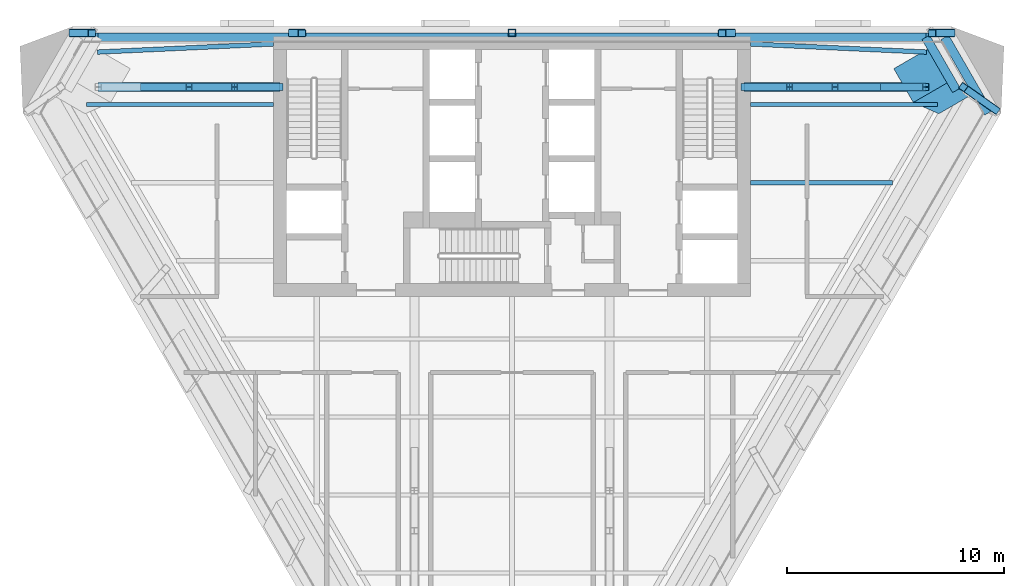
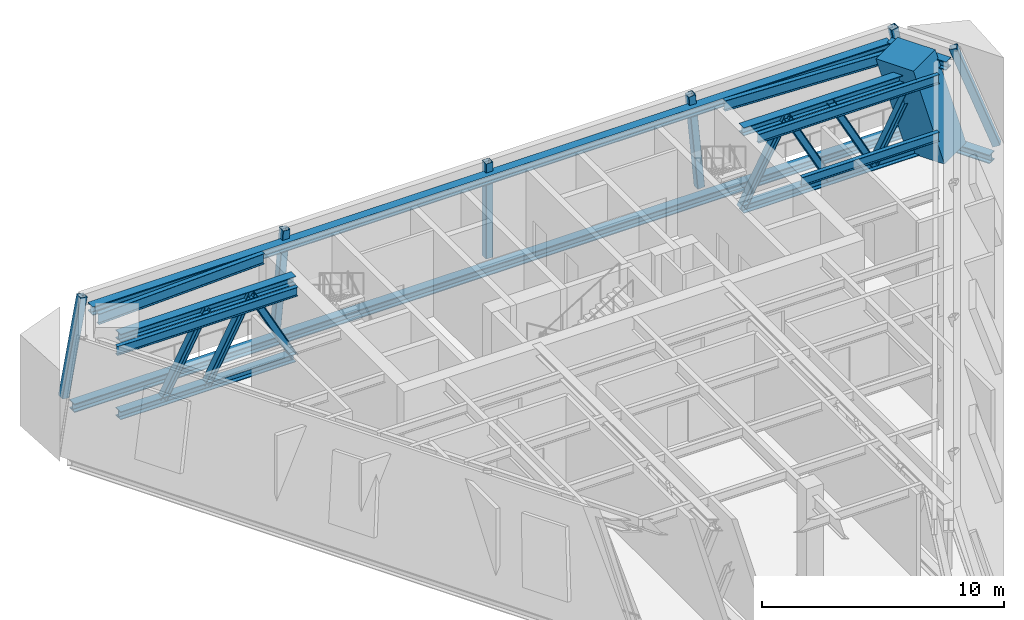
# One storey, part 2 of 11: 14 members, 13 beams.
"""IFC4 building model written with IfcOpenShell, lengths in metres."""

from ifc_helpers import new_model, si_unit, direction, frame, origin, origin_2d, place, context, subcontext, project, spatial, rectangle, hollow_rectangle, i_section, extrude, material, material_profile, profile_set, type_object, element, save


model = new_model("IFC4")

# Units and contexts
model_context = context("Model", 3, precision=1e-05, world=origin(), true_north=direction((0.0, 1.0)))
body_context = subcontext(model_context, "Body", "Model", "MODEL_VIEW")
ifc_project = project(units=[si_unit("LENGTHUNIT", "METRE"), si_unit("AREAUNIT", "SQUARE_METRE"), si_unit("VOLUMEUNIT", "CUBIC_METRE"), si_unit("PLANEANGLEUNIT", "RADIAN"), si_unit("MASSUNIT", "GRAM", prefix="KILO")], contexts=[model_context])

# Site, building, storey
site_placement = place(None, origin())
site = spatial("IfcSite", under=ifc_project, at=site_placement, CompositionType="ELEMENT")
building_placement = place(site_placement, origin())
building = spatial("IfcBuilding", under=site, at=building_placement, Name="Aloe Facet Convention Tower", CompositionType="ELEMENT")
storey_placement = place(building_placement, frame((0.0, 0.0, 175.39990234375)))
storey = spatial("IfcBuildingStorey", under=building, at=storey_placement, Name="L44", CompositionType="ELEMENT", Elevation=175.39990234375)

# Beams
ifc_material_1 = material(Name="Steel S355", Category="steel")
ifc_material_profile_1 = material_profile(ifc_material_1, i_section(OverallWidth=0.19140625, OverallDepth=0.4599609375, WebThickness=0.010009765625, FlangeThickness=0.01611328125, FilletRadius=0.01025390625, at=origin_2d()), Name="UB 457x191x82")
ifc_profile_set_1 = profile_set([ifc_material_profile_1], Name="Steel S355")
beam_type_1 = type_object("IfcBeamType", Name="SF-B-UB457x191x82", PredefinedType="BEAM", material=ifc_profile_set_1)
beam_1_placement = place(storey_placement, frame((60.373779296875, 131.39990234375, 4.1201171875), z_axis=(1.0, 0.0, 0.0), x_axis=(0.0, 1.0, 0.0)))
element("IfcBeam", 1, at=beam_1_placement, inside=storey, type_object=beam_type_1, Name="Floor beam FB-Z4A-009", PredefinedType="BEAM", context=body_context, shape_type="SweptSolid", body=[
    extrude(i_section(OverallWidth=0.19140625, OverallDepth=0.4599609375, WebThickness=0.010009765625, FlangeThickness=0.01611328125, FilletRadius=0.01025390625, at=origin_2d()), origin(), (0.0, 0.0, 1.0), 8.626220703125),
])
beam_2_placement = place(storey_placement, frame((91.0, 127.800048828125, 4.1201171875), z_axis=(1.0, 0.0, 0.0), x_axis=(0.0, 1.0, 0.0)))
element("IfcBeam", 2, at=beam_2_placement, inside=storey, type_object=beam_type_1, Name="Floor beam FB-Z4A-029", PredefinedType="BEAM", context=body_context, shape_type="SweptSolid", body=[
    extrude(i_section(OverallWidth=0.19140625, OverallDepth=0.4599609375, WebThickness=0.010009765625, FlangeThickness=0.01611328125, FilletRadius=0.01025390625, at=origin_2d()), origin(), (0.0, 0.0, 1.0), 6.547607421875),
])
beam_3_placement = place(storey_placement, frame((91.0, 131.39990234375, 4.1201171875), z_axis=(1.0, 0.0, 0.0), x_axis=(0.0, 1.0, 0.0)))
element("IfcBeam", 3, at=beam_3_placement, inside=storey, type_object=beam_type_1, Name="Floor beam FB-Z4A-030", PredefinedType="BEAM", context=body_context, shape_type="SweptSolid", body=[
    extrude(i_section(OverallWidth=0.19140625, OverallDepth=0.4599609375, WebThickness=0.010009765625, FlangeThickness=0.01611328125, FilletRadius=0.01025390625, at=origin_2d()), origin(), (0.0, 0.0, 1.0), 8.626220703125),
])
ifc_material_2 = material(Name="Steel S355", Category="steel")
ifc_material_profile_2 = material_profile(ifc_material_2, i_section(OverallWidth=0.209228515625, OverallDepth=0.533203125, WebThickness=0.010009765625, FlangeThickness=0.015625, FilletRadius=0.0126953125, at=origin_2d()), Name="UB 533x210x92")
ifc_profile_set_2 = profile_set([ifc_material_profile_2], Name="Steel S355")
beam_type_2 = type_object("IfcBeamType", Name="SF-B-UB533x210x92", PredefinedType="BEAM", material=ifc_profile_set_2)
for number, where, z_axis, x_axis, name in (
    (4, (60.883544921875, 133.820556640625, 4.08349609375), (0.998935758067, 0.046123218187, 0.0), (-0.046123218187, 0.998935758067, 0.0), "Floor beam FB-Z4A-001"),
    (5, (99.116455078125, 133.820556640625, 4.08349609375), (-0.998935758067, 0.046123218187, 0.0), (-0.046123218187, -0.998935758067, 0.0), "Floor beam FB-Z4A-003"),
):
    element("IfcBeam", number, at=place(storey_placement, frame(where, z_axis=z_axis, x_axis=x_axis)), inside=storey, type_object=beam_type_2, Name=name, PredefinedType="BEAM", context=body_context, shape_type="SweptSolid", body=[
        extrude(i_section(OverallWidth=0.209228515625, OverallDepth=0.533203125, WebThickness=0.010009765625, FlangeThickness=0.015625, FilletRadius=0.0126953125, at=origin_2d()), origin(), (0.0, 0.0, 1.0), 8.125),
    ])
ifc_material_3 = material(Name="Steel S355", Category="steel")
ifc_material_profile_3 = material_profile(ifc_material_3, i_section(OverallWidth=0.412109375, OverallDepth=0.4365234375, WebThickness=0.035888671875, FlangeThickness=0.048095703125, FilletRadius=0.01513671875, at=origin_2d()), Name="UC 356x406x467")
ifc_profile_set_3 = profile_set([ifc_material_profile_3], Name="Steel S355")
beam_type_3 = type_object("IfcBeamType", Name="STW-BC-L44", PredefinedType="BEAM", material=ifc_profile_set_3)
beam_4_placement = place(storey_placement, frame((99.954345703125, 134.5, -0.46826171875), z_axis=(0.500035914075, -0.866004667791, 0.0), x_axis=(0.866004667791, 0.500035914075, 0.0)))
element("IfcBeam", 6, at=beam_4_placement, inside=storey, type_object=beam_type_3, Name="Belt chord BC-L44-L-01", PredefinedType="BEAM", context=body_context, shape_type="SweptSolid", body=[
    extrude(i_section(OverallWidth=0.412109375, OverallDepth=0.4365234375, WebThickness=0.035888671875, FlangeThickness=0.048095703125, FilletRadius=0.01513671875, at=origin_2d()), origin(), (0.0, 0.0, 1.0), 4.022705078125),
])
beam_5_placement = place(storey_placement, frame((60.045654296875, 134.5, -0.46826171875), z_axis=(1.0, 0.0, 0.0), x_axis=(0.0, 1.0, 0.0)))
element("IfcBeam", 7, at=beam_5_placement, inside=storey, type_object=beam_type_3, Name="Belt chord BC-L44-L-06", PredefinedType="BEAM", context=body_context, shape_type="SweptSolid", body=[
    extrude(i_section(OverallWidth=0.412109375, OverallDepth=0.4365234375, WebThickness=0.035888671875, FlangeThickness=0.048095703125, FilletRadius=0.01513671875, at=origin_2d()), origin(), (0.0, 0.0, 1.0), 39.90869140625),
])
beam_6_placement = place(storey_placement, frame((99.075927734375, 134.5, 4.1318359375), z_axis=(0.499999465141, -0.866025712585, 0.0), x_axis=(0.866025712585, 0.499999465141, 0.0)))
element("IfcBeam", 8, at=beam_6_placement, inside=storey, type_object=beam_type_3, Name="Belt chord BC-L44-U-01", PredefinedType="BEAM", context=body_context, shape_type="SweptSolid", body=[
    extrude(i_section(OverallWidth=0.412109375, OverallDepth=0.4365234375, WebThickness=0.035888671875, FlangeThickness=0.048095703125, FilletRadius=0.01513671875, at=origin_2d()), origin(), (0.0, 0.0, 1.0), 2.82275390625),
])
beam_7_placement = place(storey_placement, frame((60.924072265625, 134.5, 4.1318359375), z_axis=(1.0, 0.0, 0.0), x_axis=(0.0, 1.0, 0.0)))
element("IfcBeam", 9, at=beam_7_placement, inside=storey, type_object=beam_type_3, Name="Belt chord BC-L44-U-06", PredefinedType="BEAM", context=body_context, shape_type="SweptSolid", body=[
    extrude(i_section(OverallWidth=0.412109375, OverallDepth=0.4365234375, WebThickness=0.035888671875, FlangeThickness=0.048095703125, FilletRadius=0.01513671875, at=origin_2d()), origin(), (0.0, 0.0, 1.0), 38.15185546875),
])

# Members
ifc_material_4 = material(Name="Steel S355", Category="steel")
ifc_material_profile_4 = material_profile(ifc_material_4, hollow_rectangle(XDim=0.35009765625, YDim=0.35009765625, WallThickness=0.01611328125, InnerFilletRadius=0.01611328125, OuterFilletRadius=0.031982421875, at=origin_2d()), Name="SHS 350x350x16")
ifc_profile_set_4 = profile_set([ifc_material_profile_4], Name="Steel S355")
member_type_1 = type_object("IfcMemberType", Name="STW-BW-L44", PredefinedType="BRACE", material=ifc_profile_set_4)
member_1_placement = place(storey_placement, frame((100.2431640625, 134.699951171875, 0.0), z_axis=(-0.180060834095, 0.0, 0.983655476285), x_axis=(0.0, -1.0, 0.0)))
element("IfcMember", 10, at=member_1_placement, inside=storey, type_object=member_type_1, Name="Belt web BW-L44-F1-01", PredefinedType="BRACE", context=body_context, shape_type="SweptSolid", body=[
    extrude(hollow_rectangle(XDim=0.35009765625, YDim=0.35009765625, WallThickness=0.01611328125, InnerFilletRadius=0.01611328125, OuterFilletRadius=0.031982421875, at=origin_2d()), origin(), (0.0, 0.0, 1.0), 4.8798828125),
])
member_2_placement = place(storey_placement, frame((90.12158203125, 134.699951171875, 0.0), z_axis=(-0.091120287279, 0.0, 0.99583989338), x_axis=(0.0, -1.0, 0.0)))
element("IfcMember", 11, at=member_2_placement, inside=storey, type_object=member_type_1, Name="Belt web BW-L44-F1-02", PredefinedType="BRACE", context=body_context, shape_type="SweptSolid", body=[
    extrude(hollow_rectangle(XDim=0.35009765625, YDim=0.35009765625, WallThickness=0.01611328125, InnerFilletRadius=0.01611328125, OuterFilletRadius=0.031982421875, at=origin_2d()), origin(), (0.0, 0.0, 1.0), 4.820068359375),
])
member_3_placement = place(storey_placement, frame((80.0, 134.699951171875, 0.0), z_axis=(0.0, 0.0, 1.0), x_axis=(1.0, 0.0, 0.0)))
element("IfcMember", 12, at=member_3_placement, inside=storey, type_object=member_type_1, Name="Belt web BW-L44-F1-03", PredefinedType="BRACE", context=body_context, shape_type="SweptSolid", body=[
    extrude(hollow_rectangle(XDim=0.35009765625, YDim=0.35009765625, WallThickness=0.01611328125, InnerFilletRadius=0.01611328125, OuterFilletRadius=0.031982421875, at=origin_2d()), origin(), (0.0, 0.0, 1.0), 4.800048828125),
])
member_4_placement = place(storey_placement, frame((69.87841796875, 134.699951171875, 0.0), z_axis=(0.091120287279, 0.0, 0.99583989338), x_axis=(0.0, 1.0, 0.0)))
element("IfcMember", 13, at=member_4_placement, inside=storey, type_object=member_type_1, Name="Belt web BW-L44-F1-04", PredefinedType="BRACE", context=body_context, shape_type="SweptSolid", body=[
    extrude(hollow_rectangle(XDim=0.35009765625, YDim=0.35009765625, WallThickness=0.01611328125, InnerFilletRadius=0.01611328125, OuterFilletRadius=0.031982421875, at=origin_2d()), origin(), (0.0, 0.0, 1.0), 4.820068359375),
])
member_5_placement = place(storey_placement, frame((59.7568359375, 134.699951171875, 0.0), z_axis=(0.180060834095, 0.0, 0.983655476285), x_axis=(0.0, 1.0, 0.0)))
element("IfcMember", 14, at=member_5_placement, inside=storey, type_object=member_type_1, Name="Belt web BW-L44-F1-05", PredefinedType="BRACE", context=body_context, shape_type="SweptSolid", body=[
    extrude(hollow_rectangle(XDim=0.35009765625, YDim=0.35009765625, WallThickness=0.01611328125, InnerFilletRadius=0.01611328125, OuterFilletRadius=0.031982421875, at=origin_2d()), origin(), (0.0, 0.0, 1.0), 4.8798828125),
])
member_6_placement = place(storey_placement, frame((102.283203125, 131.166259765625, 0.0), z_axis=(-0.288265895806, 0.202633407933, 0.935864560342), x_axis=(-0.575075049884, -0.818100658233, 0.0)))
element("IfcMember", 15, at=member_6_placement, inside=storey, type_object=member_type_1, Name="Belt web BW-L44-F3-05", PredefinedType="BRACE", context=body_context, shape_type="SweptSolid", body=[
    extrude(hollow_rectangle(XDim=0.35009765625, YDim=0.35009765625, WallThickness=0.01611328125, InnerFilletRadius=0.01611328125, OuterFilletRadius=0.031982421875, at=origin_2d()), origin(), (0.0, 0.0, 1.0), 5.12890625),
])
ifc_material_5 = material(Name="Concrete C80/95", Category="concrete")
ifc_material_profile_5 = material_profile(ifc_material_5, rectangle(XDim=1.800048828125, YDim=1.800048828125, at=origin_2d()), Name="STW-MJ-Z3")
ifc_profile_set_5 = profile_set([ifc_material_profile_5], Name="Concrete C80/95")
member_type_2 = type_object("IfcMemberType", Name="STW-MJ-Z3", PredefinedType="STRUT", material=ifc_profile_set_5)
member_7_placement = place(storey_placement, frame((100.00732421875, 132.208251953125, 0.0), z_axis=(0.0, 0.0, 1.0), x_axis=(-0.5, 0.866025403784, 0.0)))
element("IfcMember", 16, at=member_7_placement, inside=storey, type_object=member_type_2, Name="Transfer jog MC-NE-L44", PredefinedType="STRUT", context=body_context, shape_type="SweptSolid", body=[
    extrude(rectangle(XDim=1.800048828125, YDim=1.800048828125, at=origin_2d()), origin(), (0.209093993295, 0.153087177644, 0.965838505139), 4.9697265625),
])

# Beams
ifc_material_6 = material(Name="Steel S355", Category="steel")
ifc_material_profile_6 = material_profile(ifc_material_6, i_section(OverallWidth=0.403076171875, OverallDepth=0.406494140625, WebThickness=0.0205078125, FlangeThickness=0.032958984375, FilletRadius=0.01513671875, at=origin_2d()), Name="UC 356x406x340")
ifc_profile_set_6 = profile_set([ifc_material_profile_6], Name="Steel S355")
beam_type_4 = type_object("IfcBeamType", Name="STW-OC-L44", PredefinedType="BEAM", material=ifc_profile_set_6)
for number, where, z_axis, x_axis, name in (
    (17, (90.699951171875, 132.208251953125, 0.2333984375), (1.0, 0.0, 0.0), (0.0, 1.0, 0.0), "Outrigger chord OR-L44-NE-B"),
    (18, (90.699951171875, 132.208251953125, 4.14697265625), (1.0, 0.0, 0.0), (0.0, 1.0, 0.0), "Outrigger chord OR-L44-NE-T"),
    (19, (69.300048828125, 132.208251953125, 0.2333984375), (-1.0, 0.0, 0.0), (0.0, -1.0, 0.0), "Outrigger chord OR-L44-NW-B"),
    (20, (69.300048828125, 132.208251953125, 4.14697265625), (-1.0, 0.0, 0.0), (0.0, -1.0, 0.0), "Outrigger chord OR-L44-NW-T"),
):
    element("IfcBeam", number, at=place(storey_placement, frame(where, z_axis=z_axis, x_axis=x_axis)), inside=storey, type_object=beam_type_4, Name=name, PredefinedType="BEAM", context=body_context, shape_type="SweptSolid", body=[
        extrude(i_section(OverallWidth=0.403076171875, OverallDepth=0.406494140625, WebThickness=0.0205078125, FlangeThickness=0.032958984375, FilletRadius=0.01513671875, at=origin_2d()), origin(), (0.0, 0.0, 1.0), 8.378173828125),
    ])

# Members
ifc_material_7 = material(Name="Steel S355", Category="steel")
ifc_material_profile_7 = material_profile(ifc_material_7, i_section(OverallWidth=0.311279296875, OverallDepth=0.3271484375, WebThickness=0.015869140625, FlangeThickness=0.02490234375, FilletRadius=0.01513671875, at=origin_2d()), Name="UC 305x305x158")
ifc_profile_set_7 = profile_set([ifc_material_profile_7], Name="Steel S355")
member_type_3 = type_object("IfcMemberType", Name="STW-OD-L44", PredefinedType="BRACE", material=ifc_profile_set_7)
for number, where, z_axis, x_axis, name in (
    (21, (90.699951171875, 132.208251953125, 0.2333984375), (0.47185811158, 0.0, 0.881674499198), (0.0, 1.0, 0.0), "Outrigger diagonal OR-L44-NE-D01"),
    (22, (92.79443359375, 132.208251953125, 4.14697265625), (0.47185811158, 0.0, -0.881674499198), (0.0, 1.0, 0.0), "Outrigger diagonal OR-L44-NE-D02"),
    (23, (94.888916015625, 132.208251953125, 4.14697265625), (0.47185811158, 0.0, -0.881674499198), (0.0, 1.0, 0.0), "Outrigger diagonal OR-L44-NE-D03"),
):
    element("IfcMember", number, at=place(storey_placement, frame(where, z_axis=z_axis, x_axis=x_axis)), inside=storey, type_object=member_type_3, Name=name, PredefinedType="BRACE", context=body_context, shape_type="SweptSolid", body=[
        extrude(i_section(OverallWidth=0.311279296875, OverallDepth=0.3271484375, WebThickness=0.015869140625, FlangeThickness=0.02490234375, FilletRadius=0.01513671875, at=origin_2d()), origin(), (0.0, 0.0, 1.0), 4.438720703125),
    ])
member_8_placement = place(storey_placement, frame((96.9833984375, 132.208251953125, 0.2333984375), z_axis=(0.471900865349, 0.0, 0.88165161673), x_axis=(0.0, 1.0, 0.0)))
element("IfcMember", 24, at=member_8_placement, inside=storey, type_object=member_type_3, Name="Outrigger diagonal OR-L44-NE-D04", PredefinedType="BRACE", context=body_context, shape_type="SweptSolid", body=[
    extrude(i_section(OverallWidth=0.311279296875, OverallDepth=0.3271484375, WebThickness=0.015869140625, FlangeThickness=0.02490234375, FilletRadius=0.01513671875, at=origin_2d()), origin(), (0.0, 0.0, 1.0), 4.43896484375),
])
for number, where, z_axis, x_axis, name in (
    (25, (69.300048828125, 132.208251953125, 0.2333984375), (-0.47185811158, 0.0, 0.881674499198), (0.0, -1.0, 0.0), "Outrigger diagonal OR-L44-NW-D01"),
    (26, (67.20556640625, 132.208251953125, 4.14697265625), (-0.47185811158, 0.0, -0.881674499198), (0.0, -1.0, 0.0), "Outrigger diagonal OR-L44-NW-D02"),
    (27, (65.111083984375, 132.208251953125, 4.14697265625), (-0.47185811158, 0.0, -0.881674499198), (0.0, -1.0, 0.0), "Outrigger diagonal OR-L44-NW-D03"),
):
    element("IfcMember", number, at=place(storey_placement, frame(where, z_axis=z_axis, x_axis=x_axis)), inside=storey, type_object=member_type_3, Name=name, PredefinedType="BRACE", context=body_context, shape_type="SweptSolid", body=[
        extrude(i_section(OverallWidth=0.311279296875, OverallDepth=0.3271484375, WebThickness=0.015869140625, FlangeThickness=0.02490234375, FilletRadius=0.01513671875, at=origin_2d()), origin(), (0.0, 0.0, 1.0), 4.438720703125),
    ])

save(model, "model.ifc")
